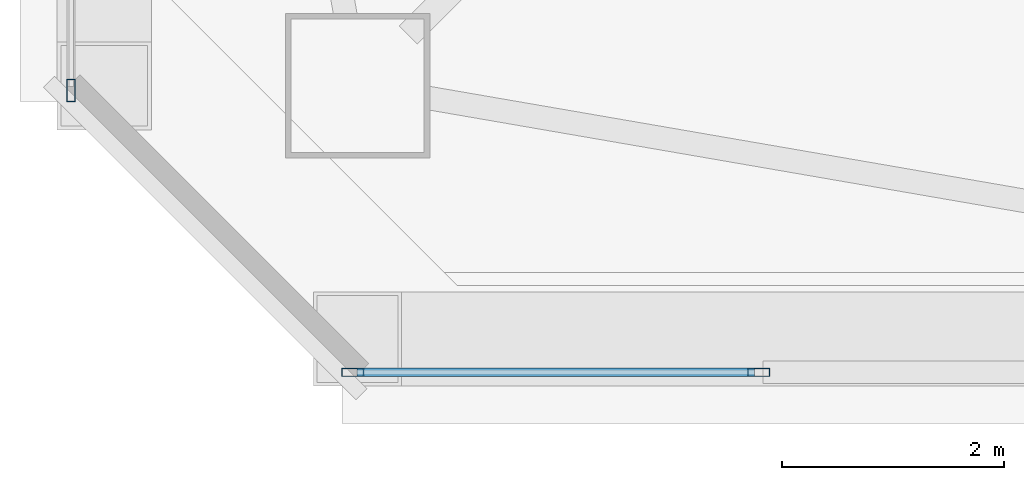
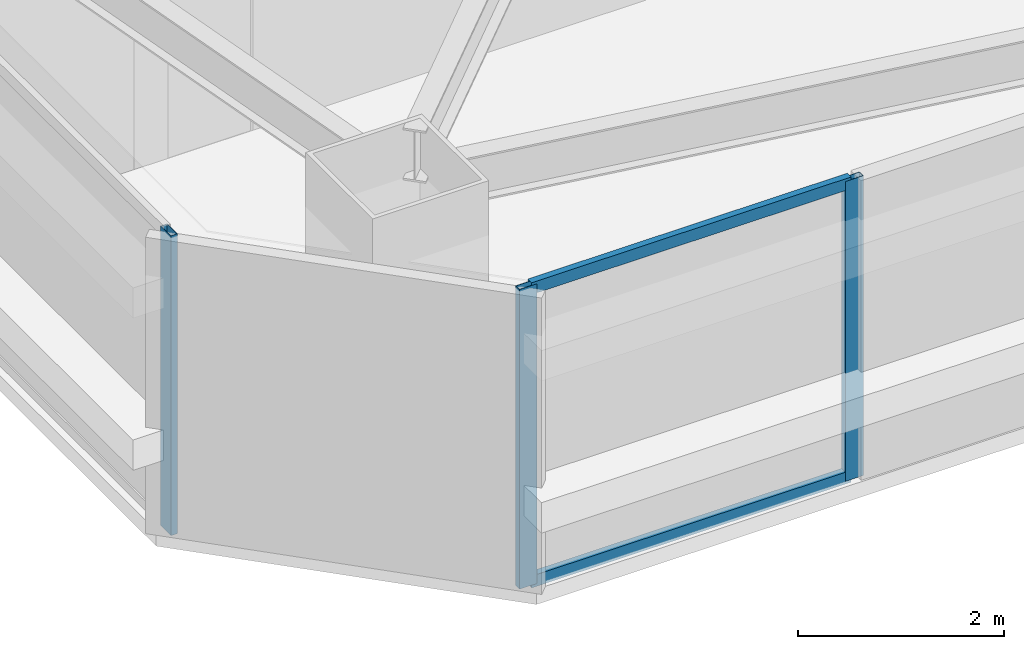
# One storey, part 3 of 54: 5 members, 2 elements without a shape of their own.
"""IFC4 building model written with IfcOpenShell, lengths in metres."""

from ifc_helpers import new_model, si_unit, direction, frame, origin, origin_2d, place, context, subcontext, project, spatial, hollow_rectangle, extrude, material, material_profile, profile_set, type_object, element, aggregate, save


model = new_model("IFC4")

# Units and contexts
model_context = context("Model", 3, precision=1e-05, world=origin(), true_north=direction((0.0, 1.0)))
body_context = subcontext(model_context, "Body", "Model", "MODEL_VIEW")
ifc_project = project(units=[si_unit("LENGTHUNIT", "METRE"), si_unit("AREAUNIT", "SQUARE_METRE"), si_unit("VOLUMEUNIT", "CUBIC_METRE"), si_unit("PLANEANGLEUNIT", "RADIAN"), si_unit("MASSUNIT", "GRAM", prefix="KILO")], contexts=[model_context])

# Site, building, storey
site_placement = place(None, origin())
site = spatial("IfcSite", under=ifc_project, at=site_placement, CompositionType="ELEMENT")
building_placement = place(site_placement, origin())
building = spatial("IfcBuilding", under=site, at=building_placement, Name="Tashvorn Skyway Center", CompositionType="ELEMENT")
storey_placement = place(building_placement, frame((0.0, 0.0, 135.699951171875)))
storey = spatial("IfcBuildingStorey", under=building, at=storey_placement, Name="L36", CompositionType="ELEMENT", Elevation=135.699951171875)

# Curtain wall, members
ifc_material = material(Name="Thermally broken bronze-anodized aluminium 6063-T6", Category="aluminium")
curtain_wall_type = type_object("IfcCurtainWallType", Name="CW-CW-Z3", PredefinedType="NOTDEFINED", material=ifc_material)
curtain_wall_1_placement = place(storey_placement, origin())
curtain_wall_1 = element("IfcCurtainWall", 1, at=curtain_wall_1_placement, inside=storey, type_object=curtain_wall_type, Name="Tower 1 L36 South Unitised Curtain Wall Glazing Group 3", PredefinedType="NOTDEFINED")
ifc_material_profile_1 = material_profile(ifc_material, hollow_rectangle(XDim=0.074951171875, YDim=0.199951171875, WallThickness=0.00439453125, at=origin_2d()), Name="ALU-MULL-75x200")
ifc_profile_set_1 = profile_set([ifc_material_profile_1], Name="Thermally broken bronze-anodized aluminium 6063-T6")
member_type_1 = type_object("IfcMemberType", Name="CWM-CW-Z3", PredefinedType="MULLION", material=ifc_profile_set_1)
member_1_placement = place(storey_placement, frame((28.911376953125, 12.719970703125, 0.0), z_axis=(0.0, 0.0, 1.0), x_axis=(0.0, -1.0, 0.0)))
member_1 = element("IfcMember", 2, at=member_1_placement, type_object=member_type_1, Name="CW-Z3 mullion 1", PredefinedType="MULLION", context=body_context, shape_type="SweptSolid", body=[
    extrude(hollow_rectangle(XDim=0.074951171875, YDim=0.199951171875, WallThickness=0.00439453125, at=origin_2d()), origin(), (0.0, 0.0, 1.0), 3.550048828125),
])
member_2_placement = place(storey_placement, frame((25.257568359375, 12.719970703125, 0.0), z_axis=(0.0, 0.0, 1.0), x_axis=(0.0, -1.0, 0.0)))
member_2 = element("IfcMember", 3, at=member_2_placement, type_object=member_type_1, Name="CW-Z3 mullion 2", PredefinedType="MULLION", context=body_context, shape_type="SweptSolid", body=[
    extrude(hollow_rectangle(XDim=0.074951171875, YDim=0.199951171875, WallThickness=0.00439453125, at=origin_2d()), origin(), (0.0, 0.0, 1.0), 3.550048828125),
])

# Curtain wall, member
curtain_wall_2_placement = place(storey_placement, origin())
curtain_wall_2 = element("IfcCurtainWall", 4, at=curtain_wall_2_placement, inside=storey, type_object=curtain_wall_type, Name="Tower 1 L36 West Unitised Curtain Wall Glazing Group 1", PredefinedType="NOTDEFINED")
member_3_placement = place(storey_placement, frame((22.719970703125, 15.257568359375, 0.0), z_axis=(0.0, 0.0, 1.0), x_axis=(-1.0, 0.0, 0.0)))
member_3 = element("IfcMember", 5, at=member_3_placement, type_object=member_type_1, Name="CW-Z3 mullion 1", PredefinedType="MULLION", context=body_context, shape_type="SweptSolid", body=[
    extrude(hollow_rectangle(XDim=0.074951171875, YDim=0.199951171875, WallThickness=0.00439453125, at=origin_2d()), origin(), (0.0, 0.0, 1.0), 3.550048828125),
])
aggregate(curtain_wall_2, [member_3])

# Member
ifc_material_profile_2 = material_profile(ifc_material, hollow_rectangle(XDim=0.074951171875, YDim=0.139892578125, WallThickness=0.004150390625, at=origin_2d()), Name="ALU-TRAN-75x140")
ifc_profile_set_2 = profile_set([ifc_material_profile_2], Name="Thermally broken bronze-anodized aluminium 6063-T6")
member_type_2 = type_object("IfcMemberType", Name="CWT-CW-Z3", PredefinedType="USERDEFINED", material=ifc_profile_set_2)
member_4_placement = place(storey_placement, frame((28.873779296875, 12.719970703125, 0.03759765625), z_axis=(-1.0, 0.0, 0.0), x_axis=(0.0, -1.0, 0.0)))
member_4 = element("IfcMember", 6, at=member_4_placement, type_object=member_type_2, Name="CW-Z3 transom 1.1", ObjectType="TRANSOM", PredefinedType="USERDEFINED", context=body_context, shape_type="SweptSolid", body=[
    extrude(hollow_rectangle(XDim=0.074951171875, YDim=0.139892578125, WallThickness=0.004150390625, at=origin_2d()), origin(), (0.0, 0.0, 1.0), 3.578857421875),
])

member_5_placement = place(storey_placement, frame((28.873779296875, 12.719970703125, 3.512451171875), z_axis=(-1.0, 0.0, 0.0), x_axis=(0.0, -1.0, 0.0)))
member_5 = element("IfcMember", 7, at=member_5_placement, type_object=member_type_2, Name="CW-Z3 transom 1.2", ObjectType="TRANSOM", PredefinedType="USERDEFINED", context=body_context, shape_type="SweptSolid", body=[
    extrude(hollow_rectangle(XDim=0.074951171875, YDim=0.139892578125, WallThickness=0.004150390625, at=origin_2d()), origin(), (0.0, 0.0, 1.0), 3.578857421875),
])

aggregate(curtain_wall_1, [member_1, member_2, member_4, member_5])

save(model, "model.ifc")
